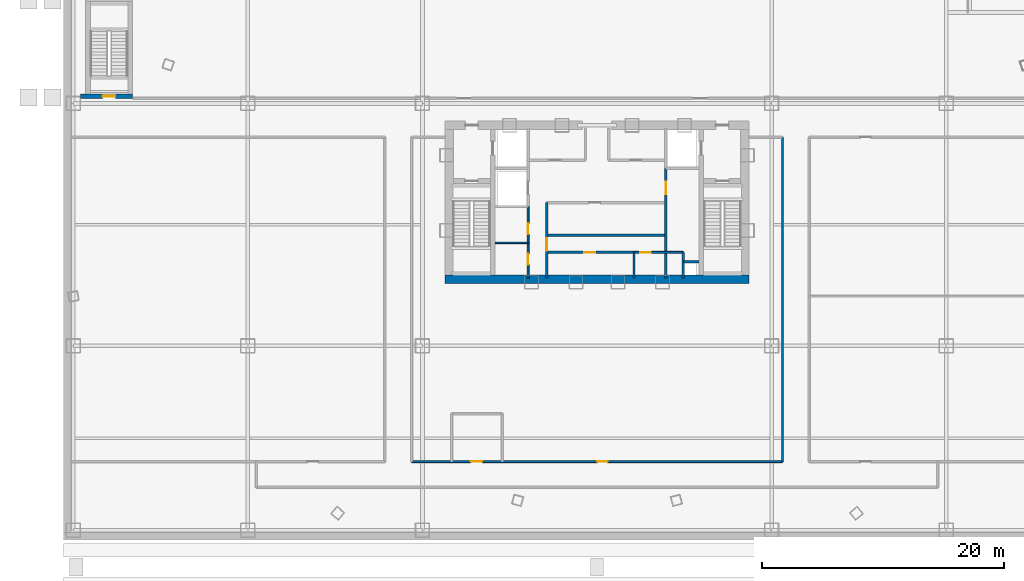
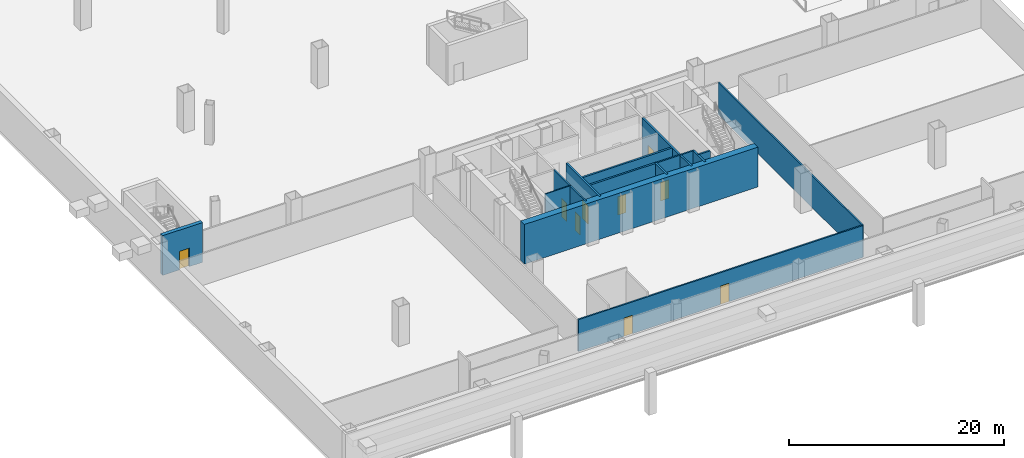
# One storey, part 8 of 16: 14 walls, 9 doors, 9 openings.
"""IFC4 building model written with IfcOpenShell, lengths in metres."""

from ifc_helpers import new_model, si_unit, direction, frame, frame_2d, origin, origin_with_axes, place, context, subcontext, project, spatial, rectangle, extrude, source, transform, mapped, material, layer, layer_set, type_object, element, fill, save


model = new_model("IFC4")

# Units and contexts
model_context = context("Model", 3, precision=1e-05, world=origin(), true_north=direction((0.0, 1.0)))
body_context = subcontext(model_context, "Body", "Model", "MODEL_VIEW")
ifc_project = project(units=[si_unit("LENGTHUNIT", "METRE"), si_unit("AREAUNIT", "SQUARE_METRE"), si_unit("VOLUMEUNIT", "CUBIC_METRE"), si_unit("PLANEANGLEUNIT", "RADIAN"), si_unit("MASSUNIT", "GRAM", prefix="KILO"), si_unit("THERMODYNAMICTEMPERATUREUNIT", "KELVIN"), si_unit("POWERUNIT", "WATT")], contexts=[model_context])

# Site, building, storey
site_placement = place(None, origin())
site = spatial("IfcSite", under=ifc_project, at=site_placement, CompositionType="ELEMENT")
building_placement = place(site_placement, origin())
building = spatial("IfcBuilding", under=site, at=building_placement, Name="Yunzhuo Pagoda Commons", CompositionType="ELEMENT")
storey_placement = place(building_placement, frame((0.0, 0.0, -4.800048828125)))
storey = spatial("IfcBuildingStorey", under=building, at=storey_placement, Name="B01", CompositionType="ELEMENT", Elevation=-4.800048828125)

# Wall
ifc_material_1 = material(Name="Concrete C60", Category="concrete")
ifc_layer_1 = layer(ifc_material_1, 0.699951171875)
ifc_layer_set_1 = layer_set([ifc_layer_1], Name="Concrete C60")
wall_type_1 = type_object("IfcWallType", Name="W-C01 Lower Core Shear Wall 700", PredefinedType="SHEAR", material=ifc_layer_set_1)
wall_1_placement = place(storey_placement, frame((35.449951171875, 27.5, 0.0), z_axis=(0.0, 0.0, 1.0), x_axis=(1.0, 0.0, 0.0)))
element("IfcWall", 1, at=wall_1_placement, inside=storey, type_object=wall_type_1, Name="B01 core shear wall S", PredefinedType="SHEAR", context=body_context, shape_type="SweptSolid", body=[
    extrude(rectangle(XDim=25.10009765625, YDim=0.699951171875, at=frame_2d((12.550048828125, 0.0))), origin(), (0.0, 0.0, 1.0), 4.52001953125),
])

# Wall, openings, doors
ifc_material_2 = material(Name="Gypsum plasterboard on acoustic stud")
ifc_layer_2 = layer(ifc_material_2, 0.159912109375)
ifc_layer_set_2 = layer_set([ifc_layer_2], Name="Gypsum plasterboard on acoustic stud")
wall_type_2 = type_object("IfcWallType", Name="W-COR1 Tower Rated Corridor Wall 160", PredefinedType="PARTITIONING", material=ifc_layer_set_2)
wall_2_placement = place(storey_placement, frame((42.320068359375, 27.60009765625, 0.0), z_axis=(0.0, 0.0, 1.0), x_axis=(0.0, 1.0, 0.0)))
wall_2 = element("IfcWall", 2, at=wall_2_placement, inside=storey, type_object=wall_type_2, Name="B01 interior wall IW-B01-CSWE", PredefinedType="PARTITIONING", context=body_context, shape_type="SweptSolid", body=[
    extrude(rectangle(XDim=5.89990234375, YDim=0.159912109375, at=frame_2d((2.949951171875, 0.0))), origin(), (0.0, 0.0, 1.0), 4.52001953125),
])
opening_1_placement = place(wall_2_placement, frame((1.10009765625, 0.0, 0.0)))
opening_1 = element("IfcOpeningElement", 3, at=opening_1_placement, cuts=wall_2, Name="Opening D-03", PredefinedType="OPENING", context=body_context, shape_type="SweptSolid", body=[
    extrude(rectangle(XDim=0.89990234375, YDim=2.10009765625, at=frame_2d((0.449951171875, 1.050048828125))), frame((0.0, 0.08984375, 0.0), z_axis=(0.0, -1.0, 0.0), x_axis=(1.0, 0.0, 0.0)), (0.0, 0.0, 1.0), 0.179931640625),
])
opening_2_placement = place(wall_2_placement, frame((3.60009765625, 0.0, 0.0)))
opening_2 = element("IfcOpeningElement", 4, at=opening_2_placement, cuts=wall_2, Name="Opening D-03", PredefinedType="OPENING", context=body_context, shape_type="SweptSolid", body=[
    extrude(rectangle(XDim=0.89990234375, YDim=2.10009765625, at=frame_2d((0.449951171875, 1.050048828125))), frame((0.0, 0.08984375, 0.0), z_axis=(0.0, -1.0, 0.0), x_axis=(1.0, 0.0, 0.0)), (0.0, 0.0, 1.0), 0.179931640625),
])
ifc_material_3 = material(Name="Galvanized fire-resisting metal leaf")
door_type_1 = type_object("IfcDoorType", Name="D-03 Core Service Fire Door 900x2100", OperationType="NOTDEFINED", PredefinedType="DOOR", material=ifc_material_3)
shared_shape_1 = source(origin(), body_context, "Body", "SweptSolid", [
    extrude(rectangle(XDim=0.89990234375, YDim=2.10009765625, at=frame_2d((0.449951171875, 1.050048828125))), frame((0.0, 0.02490234375, 0.0), z_axis=(0.0, -1.0, 0.0), x_axis=(1.0, 0.0, 0.0)), (0.0, 0.0, 1.0), 0.050048828125),
])
door_1_placement = place(opening_1_placement, origin_with_axes())
door_1 = element("IfcDoor", 5, at=door_1_placement, inside=storey, type_object=door_type_1, Name="B01 housekeeping door", OperationType="SINGLE_SWING_RIGHT", OverallHeight=2.10009765625, OverallWidth=0.89990234375, PredefinedType="DOOR", context=body_context, shape_type="MappedRepresentation", body=[
    mapped(shared_shape_1, transform((0.0, 0.0, 0.0), scale=1.0)),
])
fill(opening_1, door_1)
door_2_placement = place(opening_2_placement, origin_with_axes())
door_2 = element("IfcDoor", 6, at=door_2_placement, inside=storey, type_object=door_type_1, Name="B01 core control door", OperationType="SINGLE_SWING_RIGHT", OverallHeight=2.10009765625, OverallWidth=0.89990234375, PredefinedType="DOOR", context=body_context, shape_type="MappedRepresentation", body=[
    mapped(shared_shape_1, transform((0.0, 0.0, 0.0), scale=1.0)),
])
fill(opening_2, door_2)

# Wall, opening, door
wall_3_placement = place(storey_placement, frame((51.050048828125, 29.719970703125, 0.0), z_axis=(0.0, 0.0, 1.0), x_axis=(1.0, 0.0, 0.0)))
wall_3 = element("IfcWall", 7, at=wall_3_placement, inside=storey, type_object=wall_type_2, Name="B01 interior wall IW-B01-CSES", PredefinedType="PARTITIONING", context=body_context, shape_type="SweptSolid", body=[
    extrude(rectangle(XDim=4.070068359375, YDim=0.159912109375, at=frame_2d((2.03515625, 0.0))), origin(), (0.0, 0.0, 1.0), 4.52001953125),
])
opening_3_placement = place(wall_3_placement, frame((0.5, 0.0, 0.0)))
opening_3 = element("IfcOpeningElement", 8, at=opening_3_placement, cuts=wall_3, Name="Opening D-03", PredefinedType="OPENING", context=body_context, shape_type="SweptSolid", body=[
    extrude(rectangle(XDim=0.89990234375, YDim=2.10009765625, at=frame_2d((0.449951171875, 1.050048828125))), frame((0.0, 0.08984375, 0.0), z_axis=(0.0, -1.0, 0.0), x_axis=(1.0, 0.0, 0.0)), (0.0, 0.0, 1.0), 0.179931640625),
])
door_3_placement = place(opening_3_placement, origin_with_axes())
door_3 = element("IfcDoor", 9, at=door_3_placement, inside=storey, type_object=door_type_1, Name="B01 IT closet door", OperationType="SINGLE_SWING_LEFT", OverallHeight=2.10009765625, OverallWidth=0.89990234375, PredefinedType="DOOR", context=body_context, shape_type="MappedRepresentation", body=[
    mapped(shared_shape_1, transform((0.0, 0.0, 0.0), scale=1.0)),
])
fill(opening_3, door_3)

# Wall
wall_4_placement = place(storey_placement, frame((63.300048828125, 12.449951171875, 0.0), z_axis=(0.0, 0.0, 1.0), x_axis=(0.0, 1.0, 0.0)))
element("IfcWall", 10, at=wall_4_placement, inside=storey, type_object=wall_type_2, Name="B01 interior wall IW-B01-SME", PredefinedType="PARTITIONING", context=body_context, shape_type="SweptSolid", body=[
    extrude(rectangle(XDim=26.77001953125, YDim=0.159912109375, at=frame_2d((13.385009765625, 0.0))), origin(), (0.0, 0.0, 1.0), 3.6201171875),
])

# Wall, openings, doors
wall_5_placement = place(storey_placement, frame((32.699951171875, 12.449951171875, 0.0), z_axis=(0.0, 0.0, 1.0), x_axis=(1.0, 0.0, 0.0)))
wall_5 = element("IfcWall", 11, at=wall_5_placement, inside=storey, type_object=wall_type_2, Name="B01 interior wall IW-B01-SMS", PredefinedType="PARTITIONING", context=body_context, shape_type="SweptSolid", body=[
    extrude(rectangle(XDim=30.60009765625, YDim=0.159912109375, at=frame_2d((15.300048828125, 0.0))), origin(), (0.0, 0.0, 1.0), 3.6201171875),
])
opening_4_placement = place(wall_5_placement, frame((4.89990234375, 0.0, 0.0)))
opening_4 = element("IfcOpeningElement", 12, at=opening_4_placement, cuts=wall_5, Name="Opening D-11", PredefinedType="OPENING", context=body_context, shape_type="SweptSolid", body=[
    extrude(rectangle(XDim=0.93994140625, YDim=2.10009765625, at=frame_2d((0.469970703125, 1.050048828125))), frame((0.0, 0.08984375, 0.0), z_axis=(0.0, -1.0, 0.0), x_axis=(1.0, 0.0, 0.0)), (0.0, 0.0, 1.0), 0.179931640625),
])
opening_5_placement = place(wall_5_placement, frame((15.300048828125, 0.0, 0.0)))
opening_5 = element("IfcOpeningElement", 13, at=opening_5_placement, cuts=wall_5, Name="Opening D-03", PredefinedType="OPENING", context=body_context, shape_type="SweptSolid", body=[
    extrude(rectangle(XDim=0.89990234375, YDim=2.10009765625, at=frame_2d((0.449951171875, 1.050048828125))), frame((0.0, 0.08984375, 0.0), z_axis=(0.0, -1.0, 0.0), x_axis=(1.0, 0.0, 0.0)), (0.0, 0.0, 1.0), 0.179931640625),
])
door_4_placement = place(opening_5_placement, origin_with_axes())
door_4 = element("IfcDoor", 14, at=door_4_placement, inside=storey, type_object=door_type_1, Name="B01 Maintenance Store door", OperationType="SINGLE_SWING_RIGHT", OverallHeight=2.10009765625, OverallWidth=0.89990234375, PredefinedType="DOOR", context=body_context, shape_type="MappedRepresentation", body=[
    mapped(shared_shape_1, transform((0.0, 0.0, 0.0), scale=1.0)),
])
fill(opening_5, door_4)
door_type_2 = type_object("IfcDoorType", Name="D-11 Accessible Washroom Fire Door 940x2100", OperationType="NOTDEFINED", PredefinedType="DOOR", material=ifc_material_3)
shared_shape_2 = source(origin(), body_context, "Body", "SweptSolid", [
    extrude(rectangle(XDim=0.93994140625, YDim=2.10009765625, at=frame_2d((0.469970703125, 1.050048828125))), frame((0.0, 0.02490234375, 0.0), z_axis=(0.0, -1.0, 0.0), x_axis=(1.0, 0.0, 0.0)), (0.0, 0.0, 1.0), 0.050048828125),
])
door_5_placement = place(opening_4_placement, origin_with_axes())
door_5 = element("IfcDoor", 15, at=door_5_placement, inside=storey, type_object=door_type_2, Name="B01 Basement Accessible WC door", OperationType="SINGLE_SWING_LEFT", OverallHeight=2.10009765625, OverallWidth=0.93994140625, PredefinedType="DOOR", context=body_context, shape_type="MappedRepresentation", body=[
    mapped(shared_shape_2, transform((0.0, 0.0, 0.0), scale=1.0)),
])
fill(opening_4, door_5)

# Wall
ifc_layer_3 = layer(ifc_material_2, 0.1201171875)
ifc_layer_set_3 = layer_set([ifc_layer_3], Name="Gypsum plasterboard on acoustic stud")
wall_type_3 = type_object("IfcWallType", Name="W-PRT1 Suite & Bathroom Partition 120", PredefinedType="PARTITIONING", material=ifc_layer_set_3)
wall_6_placement = place(storey_placement, frame((39.60009765625, 30.5, 0.0), z_axis=(0.0, 0.0, 1.0), x_axis=(1.0, 0.0, 0.0)))
element("IfcWall", 16, at=wall_6_placement, inside=storey, type_object=wall_type_3, Name="B01 interior wall IW-B01-CB1", PredefinedType="PARTITIONING", context=body_context, shape_type="SweptSolid", body=[
    extrude(rectangle(XDim=2.719970703125, YDim=0.1201171875, at=frame_2d((1.35986328125, 0.0))), origin(), (0.0, 0.0, 1.0), 4.52001953125),
])

# Wall, opening, door
ifc_layer_4 = layer(ifc_material_1, 0.39990234375)
ifc_layer_set_4 = layer_set([ifc_layer_4], Name="Concrete C60")
wall_type_4 = type_object("IfcWallType", Name="W-S01 Internal Core Shear Web 400", PredefinedType="SHEAR", material=ifc_layer_set_4)
wall_7_placement = place(storey_placement, frame((5.39990234375, 42.60009765625, 0.0), z_axis=(0.0, 0.0, 1.0), x_axis=(1.0, 0.0, 0.0)))
wall_7 = element("IfcWall", 17, at=wall_7_placement, inside=storey, type_object=wall_type_4, Name="B01 PS3 structural stair wall S", PredefinedType="SHEAR", context=body_context, shape_type="SweptSolid", body=[
    extrude(rectangle(XDim=4.300048828125, YDim=0.39990234375, at=frame_2d((2.14990234375, 0.0))), origin(), (0.0, 0.0, 1.0), 4.52001953125),
])
opening_6_placement = place(wall_7_placement, frame((1.820068359375, 0.0, 0.0)))
opening_6 = element("IfcOpeningElement", 18, at=opening_6_placement, cuts=wall_7, Name="Opening D-01", PredefinedType="OPENING", context=body_context, shape_type="SweptSolid", body=[
    extrude(rectangle(XDim=1.050048828125, YDim=2.10009765625, at=frame_2d((0.52490234375, 1.050048828125))), frame((0.0, 0.2099609375, 0.0), z_axis=(0.0, -1.0, 0.0), x_axis=(1.0, 0.0, 0.0)), (0.0, 0.0, 1.0), 0.419921875),
])
door_type_3 = type_object("IfcDoorType", Name="D-01 Smokeproof Stair Fire Door 1050x2100", OperationType="NOTDEFINED", PredefinedType="DOOR", material=ifc_material_3)
shared_shape_3 = source(origin(), body_context, "Body", "SweptSolid", [
    extrude(rectangle(XDim=1.050048828125, YDim=2.10009765625, at=frame_2d((0.52490234375, 1.050048828125))), frame((0.0, 0.02490234375, 0.0), z_axis=(0.0, -1.0, 0.0), x_axis=(1.0, 0.0, 0.0)), (0.0, 0.0, 1.0), 0.050048828125),
])
door_6_placement = place(opening_6_placement, frame((1.050048828125, 0.0, 0.0), z_axis=(0.0, 0.0, 1.0), x_axis=(-1.0, 0.0, 0.0)))
door_6 = element("IfcDoor", 19, at=door_6_placement, inside=storey, type_object=door_type_3, Name="B01 PS3 stair fire door", OperationType="SINGLE_SWING_LEFT", OverallHeight=2.10009765625, OverallWidth=1.050048828125, PredefinedType="DOOR", context=body_context, shape_type="MappedRepresentation", body=[
    mapped(shared_shape_3, transform((0.0, 0.0, 0.0), scale=1.0)),
])
fill(opening_6, door_6)

ifc_material_4 = material(Name="Concrete C40", Category="concrete")
ifc_layer_5 = layer(ifc_material_4, 0.199951171875)
ifc_layer_set_5 = layer_set([ifc_layer_5], Name="Concrete C40")
wall_type_5 = type_object("IfcWallType", Name="W-SHF Shaft & Stair Enclosure Wall 200", PredefinedType="SOLIDWALL", material=ifc_layer_set_5)
wall_8_placement = place(storey_placement, frame((43.85009765625, 27.60009765625, 0.0), z_axis=(0.0, 0.0, 1.0), x_axis=(0.0, 1.0, 0.0)))
wall_8 = element("IfcWall", 20, at=wall_8_placement, inside=storey, type_object=wall_type_5, Name="B01 interior wall IW-B01-PLMW", PredefinedType="SOLIDWALL", context=body_context, shape_type="SweptSolid", body=[
    extrude(rectangle(XDim=6.219970703125, YDim=0.199951171875, at=frame_2d((3.10986328125, 0.0))), origin(), (0.0, 0.0, 1.0), 4.52001953125),
])
opening_7_placement = place(wall_8_placement, frame((2.25, 0.0, 0.0)))
opening_7 = element("IfcOpeningElement", 21, at=opening_7_placement, cuts=wall_8, Name="Opening D-02", PredefinedType="OPENING", context=body_context, shape_type="SweptSolid", body=[
    extrude(rectangle(XDim=1.050048828125, YDim=2.10009765625, at=frame_2d((0.52490234375, 1.050048828125))), frame((0.0, 0.10986328125, 0.0), z_axis=(0.0, -1.0, 0.0), x_axis=(1.0, 0.0, 0.0)), (0.0, 0.0, 1.0), 0.219970703125),
])
door_type_4 = type_object("IfcDoorType", Name="D-02 Firefighting Lobby & Refuge Fire Door 1050x2100", OperationType="NOTDEFINED", PredefinedType="DOOR", material=ifc_material_3)
door_7_placement = place(opening_7_placement, frame((1.050048828125, 0.0, 0.0), z_axis=(0.0, 0.0, 1.0), x_axis=(-1.0, 0.0, 0.0)))
door_7 = element("IfcDoor", 22, at=door_7_placement, inside=storey, type_object=door_type_4, Name="B01 High-bank hall west door", OperationType="SINGLE_SWING_LEFT", OverallHeight=2.10009765625, OverallWidth=1.050048828125, PredefinedType="DOOR", context=body_context, shape_type="MappedRepresentation", body=[
    mapped(shared_shape_3, transform((0.0, 0.0, 0.0), scale=1.0)),
])
fill(opening_7, door_7)

wall_9_placement = place(storey_placement, frame((53.679931640625, 27.60009765625, 0.0), z_axis=(0.0, 0.0, 1.0), x_axis=(0.0, 1.0, 0.0)))
wall_9 = element("IfcWall", 23, at=wall_9_placement, inside=storey, type_object=wall_type_5, Name="B01 interior wall IW-B01-PLME", PredefinedType="SOLIDWALL", context=body_context, shape_type="SweptSolid", body=[
    extrude(rectangle(XDim=9.0498046875, YDim=0.199951171875, at=frame_2d((4.52490234375, 0.0))), origin(), (0.0, 0.0, 1.0), 4.52001953125),
])
opening_8_placement = place(wall_9_placement, frame((6.89990234375, 0.0, 0.0)))
opening_8 = element("IfcOpeningElement", 24, at=opening_8_placement, cuts=wall_9, Name="Opening D-02", PredefinedType="OPENING", context=body_context, shape_type="SweptSolid", body=[
    extrude(rectangle(XDim=1.050048828125, YDim=2.10009765625, at=frame_2d((0.52490234375, 1.050048828125))), frame((0.0, 0.10986328125, 0.0), z_axis=(0.0, -1.0, 0.0), x_axis=(1.0, 0.0, 0.0)), (0.0, 0.0, 1.0), 0.219970703125),
])
door_8_placement = place(opening_8_placement, origin_with_axes())
door_8 = element("IfcDoor", 25, at=door_8_placement, inside=storey, type_object=door_type_4, Name="B01 High-bank lift hall door", OperationType="SINGLE_SWING_RIGHT", OverallHeight=2.10009765625, OverallWidth=1.050048828125, PredefinedType="DOOR", context=body_context, shape_type="MappedRepresentation", body=[
    mapped(shared_shape_3, transform((0.0, 0.0, 0.0), scale=1.0)),
])
fill(opening_8, door_8)

wall_10_placement = place(storey_placement, frame((43.85009765625, 29.719970703125, 0.0), z_axis=(0.0, 0.0, 1.0), x_axis=(1.0, 0.0, 0.0)))
wall_10 = element("IfcWall", 26, at=wall_10_placement, inside=storey, type_object=wall_type_5, Name="B01 interior wall IW-B01-PLHN", PredefinedType="SOLIDWALL", context=body_context, shape_type="SweptSolid", body=[
    extrude(rectangle(XDim=7.199951171875, YDim=0.199951171875, at=frame_2d((3.60009765625, 0.0))), origin(), (0.0, 0.0, 1.0), 4.52001953125),
])
opening_9_placement = place(wall_10_placement, frame((3.10009765625, 0.0, 0.0)))
opening_9 = element("IfcOpeningElement", 27, at=opening_9_placement, cuts=wall_10, Name="Opening D-03", PredefinedType="OPENING", context=body_context, shape_type="SweptSolid", body=[
    extrude(rectangle(XDim=0.89990234375, YDim=2.10009765625, at=frame_2d((0.449951171875, 1.050048828125))), frame((0.0, 0.10986328125, 0.0), z_axis=(0.0, -1.0, 0.0), x_axis=(1.0, 0.0, 0.0)), (0.0, 0.0, 1.0), 0.219970703125),
])
door_9_placement = place(opening_9_placement, origin_with_axes())
door_9 = element("IfcDoor", 28, at=door_9_placement, inside=storey, type_object=door_type_1, Name="B01 plumbing store door", OperationType="SINGLE_SWING_LEFT", OverallHeight=2.10009765625, OverallWidth=0.89990234375, PredefinedType="DOOR", context=body_context, shape_type="MappedRepresentation", body=[
    mapped(shared_shape_1, transform((0.0, 0.0, 0.0), scale=1.0)),
])
fill(opening_9, door_9)

# Walls
wall_11_placement = place(storey_placement, frame((51.050048828125, 27.60009765625, 0.0), z_axis=(0.0, 0.0, 1.0), x_axis=(0.0, 1.0, 0.0)))
element("IfcWall", 29, at=wall_11_placement, inside=storey, type_object=wall_type_5, Name="B01 interior wall IW-B01-PLHE", PredefinedType="SOLIDWALL", context=body_context, shape_type="SweptSolid", body=[
    extrude(rectangle(XDim=2.119873046875, YDim=0.199951171875, at=frame_2d((1.06005859375, 0.0))), origin(), (0.0, 0.0, 1.0), 4.52001953125),
])
wall_12_placement = place(storey_placement, frame((43.85009765625, 31.1201171875, 0.0), z_axis=(0.0, 0.0, 1.0), x_axis=(1.0, 0.0, 0.0)))
element("IfcWall", 30, at=wall_12_placement, inside=storey, type_object=wall_type_5, Name="B01 interior wall IW-B01-PLMS2", PredefinedType="SOLIDWALL", context=body_context, shape_type="SweptSolid", body=[
    extrude(rectangle(XDim=9.829833984375, YDim=0.199951171875, at=frame_2d((4.9150390625, 0.0))), origin(), (0.0, 0.0, 1.0), 4.52001953125),
])
wall_13_placement = place(storey_placement, frame((55.1201171875, 27.60009765625, 0.0), z_axis=(0.0, 0.0, 1.0), x_axis=(0.0, 1.0, 0.0)))
element("IfcWall", 31, at=wall_13_placement, inside=storey, type_object=wall_type_5, Name="B01 interior wall IW-B01-RSHFW", PredefinedType="SOLIDWALL", context=body_context, shape_type="SweptSolid", body=[
    extrude(rectangle(XDim=2.119873046875, YDim=0.199951171875, at=frame_2d((1.06005859375, 0.0))), origin(), (0.0, 0.0, 1.0), 4.52001953125),
])
wall_14_placement = place(storey_placement, frame((55.1201171875, 28.949951171875, 0.0), z_axis=(0.0, 0.0, 1.0), x_axis=(1.0, 0.0, 0.0)))
element("IfcWall", 32, at=wall_14_placement, inside=storey, type_object=wall_type_5, Name="B01 interior wall IW-B01-RSHFN", PredefinedType="SOLIDWALL", context=body_context, shape_type="SweptSolid", body=[
    extrude(rectangle(XDim=1.27978515625, YDim=0.199951171875, at=frame_2d((0.639892578125, 0.0))), origin(), (0.0, 0.0, 1.0), 4.52001953125),
])

save(model, "model.ifc")
